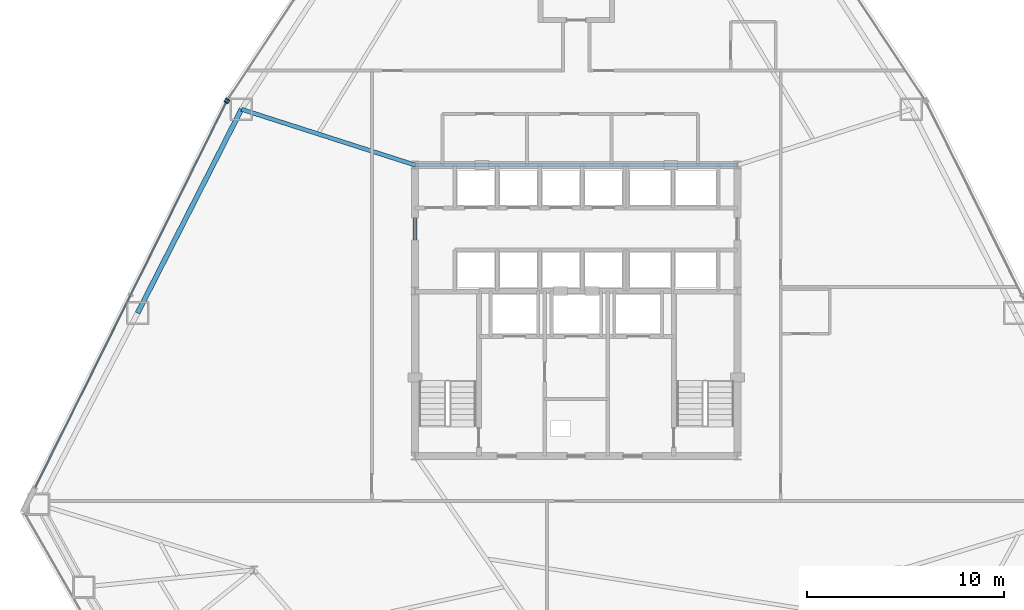
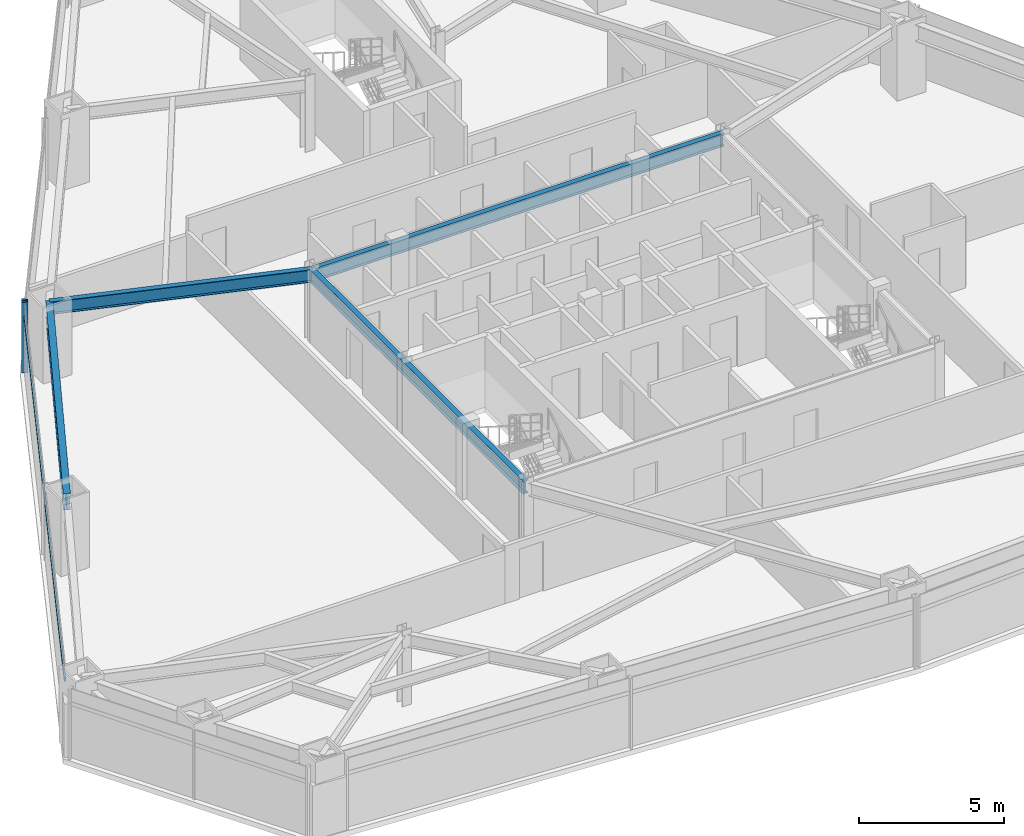
# One storey, part 5 of 12: 4 beams, 3 members, 2 elements without a shape of their own.
"""IFC4 building model written with IfcOpenShell, lengths in metres."""

from ifc_helpers import new_model, si_unit, direction, frame, origin, origin_2d, place, context, subcontext, project, spatial, rectangle, i_section, extrude, source, transform, mapped, material, layer, layer_set, material_profile, profile_set, type_object, type_shapes, element, aggregate, save


model = new_model("IFC4")

# Units and contexts
model_context = context("Model", 3, precision=1e-05, world=origin(), true_north=direction((0.0, 1.0)))
body_context = subcontext(model_context, "Body", "Model", "MODEL_VIEW")
ifc_project = project(units=[si_unit("LENGTHUNIT", "METRE"), si_unit("AREAUNIT", "SQUARE_METRE"), si_unit("VOLUMEUNIT", "CUBIC_METRE"), si_unit("PLANEANGLEUNIT", "RADIAN"), si_unit("MASSUNIT", "GRAM", prefix="KILO")], contexts=[model_context])

# Site, building, storey
site_placement = place(None, origin())
site = spatial("IfcSite", under=ifc_project, at=site_placement, CompositionType="ELEMENT")
building_placement = place(site_placement, origin())
building = spatial("IfcBuilding", under=site, at=building_placement, Name="Varakhsha Concourse Tower", CompositionType="ELEMENT")
storey_placement = place(building_placement, frame((0.0, 0.0, 62.39990234375)))
storey = spatial("IfcBuildingStorey", under=building, at=storey_placement, Name="L17", CompositionType="ELEMENT", Elevation=62.39990234375)

# Beams
ifc_material_1 = material(Name="Structural Steel ASTM A992 Grade 50", Category="steel")
ifc_material_profile_1 = material_profile(ifc_material_1, i_section(OverallWidth=0.2109375, OverallDepth=0.5390625, WebThickness=0.011962890625, FlangeThickness=0.01904296875, at=origin_2d()), Name="W21X73")
ifc_profile_set_1 = profile_set([ifc_material_profile_1], Name="Structural Steel ASTM A992 Grade 50")
beam_type_1 = type_object("IfcBeamType", Name="BM-RAD-W21X73", PredefinedType="BEAM", material=ifc_profile_set_1)
beam_1_placement = place(storey_placement, frame((31.800048828125, 31.199951171875, 2.710693359375), z_axis=(1.0, 0.0, 0.0), x_axis=(0.0, 1.0, 0.0)))
element("IfcBeam", 1, at=beam_1_placement, inside=storey, type_object=beam_type_1, Name="BM-TCORE-L17-CN", PredefinedType="BEAM", context=body_context, shape_type="SweptSolid", body=[
    extrude(i_section(OverallWidth=0.2109375, OverallDepth=0.5390625, WebThickness=0.011962890625, FlangeThickness=0.01904296875, at=origin_2d()), origin(), (0.0, 0.0, 1.0), 16.39990234375),
])
beam_2_placement = place(storey_placement, frame((31.800048828125, 16.39990234375, 2.710693359375), z_axis=(0.0, 1.0, 0.0), x_axis=(-1.0, 0.0, 0.0)))
element("IfcBeam", 2, at=beam_2_placement, inside=storey, type_object=beam_type_1, Name="BM-TCORE-L17-CW", PredefinedType="BEAM", context=body_context, shape_type="SweptSolid", body=[
    extrude(i_section(OverallWidth=0.2109375, OverallDepth=0.5390625, WebThickness=0.011962890625, FlangeThickness=0.01904296875, at=origin_2d()), origin(), (0.0, 0.0, 1.0), 14.800048828125),
])
beam_3_placement = place(storey_placement, frame((31.800048828125, 31.199951171875, 2.710693359375), z_axis=(-0.952173002913, 0.305559441882, 0.0), x_axis=(-0.305559441882, -0.952173002913, 0.0)))
element("IfcBeam", 3, at=beam_3_placement, inside=storey, type_object=beam_type_1, Name="L17 Radial Floor Girder 05", PredefinedType="BEAM", context=body_context, shape_type="SweptSolid", body=[
    extrude(i_section(OverallWidth=0.2109375, OverallDepth=0.5390625, WebThickness=0.011962890625, FlangeThickness=0.01904296875, at=origin_2d()), origin(), (0.0, 0.0, 1.0), 9.27880859375),
])
ifc_material_profile_2 = material_profile(ifc_material_1, i_section(OverallWidth=0.25390625, OverallDepth=0.701904296875, WebThickness=0.014892578125, FlangeThickness=0.028076171875, at=origin_2d()), Name="W27X129")
ifc_profile_set_2 = profile_set([ifc_material_profile_2], Name="Structural Steel ASTM A992 Grade 50")
beam_type_2 = type_object("IfcBeamType", Name="BM-SPAN-W27X129", PredefinedType="SPANDREL", material=ifc_profile_set_2)
beam_4_placement = place(storey_placement, frame((22.965087890625, 34.03515625, 2.629150390625), z_axis=(-0.454093687786, -0.890953939726, 0.0), x_axis=(0.890953939726, -0.454093687786, 0.0)))
element("IfcBeam", 4, at=beam_4_placement, inside=storey, type_object=beam_type_2, Name="BM-SPAN-L17-05", PredefinedType="SPANDREL", context=body_context, shape_type="SweptSolid", body=[
    extrude(i_section(OverallWidth=0.25390625, OverallDepth=0.701904296875, WebThickness=0.014892578125, FlangeThickness=0.028076171875, at=origin_2d()), origin(), (0.0, 0.0, 1.0), 11.630859375),
])

# Curtain wall, member
ifc_material_2 = material(Name="Anodised Bronze Architectural Aluminium AA 6063-T6", Category="aluminium")
ifc_layer = layer(ifc_material_2, 0.219970703125, Name="CW-SYS-02")
ifc_layer_set = layer_set([ifc_layer], Name="Anodised Bronze Architectural Aluminium AA 6063-T6")
curtain_wall_type = type_object("IfcCurtainWallType", Name="CW-SYS-02", PredefinedType="NOTDEFINED", material=ifc_layer_set)
curtain_wall_1_placement = place(storey_placement, origin())
curtain_wall_1 = element("IfcCurtainWall", 5, at=curtain_wall_1_placement, inside=storey, type_object=curtain_wall_type, Name="L17 Crystal Curtain Wall F2", PredefinedType="NOTDEFINED")
ifc_material_profile_3 = material_profile(ifc_material_2, rectangle(XDim=0.074951171875, YDim=0.219970703125, at=origin_2d()), Name="CWM-220X75")
ifc_profile_set_3 = profile_set([ifc_material_profile_3], Name="Anodised Bronze Architectural Aluminium AA 6063-T6")
member_type_1 = type_object("IfcMemberType", Name="CWM-220X75", PredefinedType="MULLION", material=ifc_profile_set_3)
shared_shape_1 = source(origin(), body_context, "Body", "SweptSolid", [
    extrude(rectangle(XDim=0.074951171875, YDim=0.219970703125, at=origin_2d()), origin(), (0.0, 0.0, 1.0), 2.97998046875),
])
type_shapes(member_type_1, [shared_shape_1])
member_1_placement = place(storey_placement, frame((22.26611328125, 34.51904296875, 0.0), z_axis=(0.0, 0.0, 1.0), x_axis=(0.553879904586, 0.832596571753, 0.0)))
member_1 = element("IfcMember", 6, at=member_1_placement, type_object=member_type_1, Name="CW-L17-F2 Mullion 00", PredefinedType="MULLION", context=body_context, shape_type="MappedRepresentation", body=[
    mapped(shared_shape_1, transform((0.0, 0.0, 0.0), scale=1.0)),
])
aggregate(curtain_wall_1, [member_1])

# Curtain wall, members
curtain_wall_2_placement = place(storey_placement, origin())
curtain_wall_2 = element("IfcCurtainWall", 7, at=curtain_wall_2_placement, inside=storey, type_object=curtain_wall_type, Name="L17 Crystal Curtain Wall F3", PredefinedType="NOTDEFINED")
member_2_placement = place(storey_placement, frame((22.196533203125, 34.3984375, 0.0), z_axis=(0.0, 0.0, 1.0), x_axis=(0.444109829949, 0.895972353894, 0.0)))
member_2 = element("IfcMember", 8, at=member_2_placement, type_object=member_type_1, Name="CW-L17-F3 Mullion 02", PredefinedType="MULLION", context=body_context, shape_type="MappedRepresentation", body=[
    mapped(shared_shape_1, transform((0.0, 0.0, 0.0), scale=1.0)),
])
ifc_material_profile_4 = material_profile(ifc_material_2, rectangle(XDim=0.06494140625, YDim=0.159912109375, at=origin_2d()), Name="CWT-160X65")
ifc_profile_set_4 = profile_set([ifc_material_profile_4], Name="Anodised Bronze Architectural Aluminium AA 6063-T6")
member_type_2 = type_object("IfcMemberType", Name="CWT-160X65", PredefinedType="USERDEFINED", material=ifc_profile_set_4)
shared_shape_2 = source(origin(), body_context, "Body", "SweptSolid", [
    extrude(rectangle(XDim=0.06494140625, YDim=0.159912109375, at=origin_2d()), origin(), (0.0, 0.0, 1.0), 21.887939453125),
])
type_shapes(member_type_2, [shared_shape_2])
member_3_placement = place(storey_placement, frame((12.475830078125, 14.787353515625, 2.330078125), z_axis=(0.444110079116, 0.895972230389, 0.0), x_axis=(-0.895972230389, 0.444110079116, 0.0)))
member_3 = element("IfcMember", 9, at=member_3_placement, type_object=member_type_2, Name="CW-L17-F3 Transom 01", ObjectType="TRANSOM", PredefinedType="USERDEFINED", context=body_context, shape_type="MappedRepresentation", body=[
    mapped(shared_shape_2, transform((0.0, 0.0, 0.0), scale=1.0)),
])
aggregate(curtain_wall_2, [member_2, member_3])

save(model, "model.ifc")
